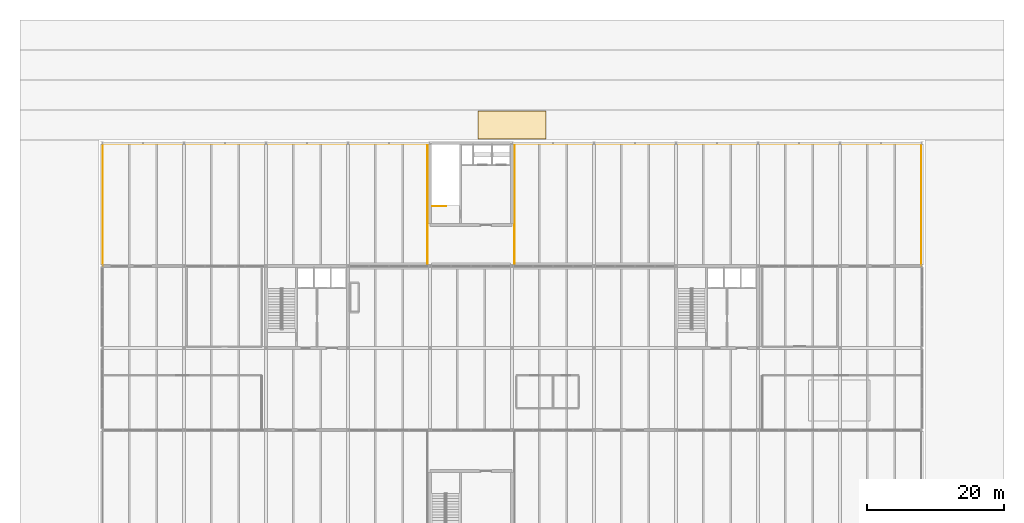
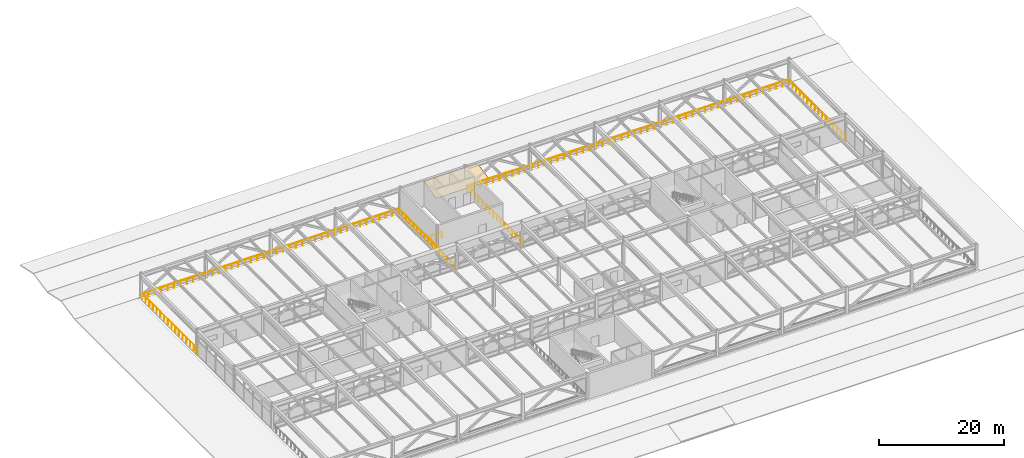
# One storey, part 42 of 42: 3 railings, 1 covering.
"""IFC4 building model written with IfcOpenShell, lengths in metres."""

from ifc_helpers import new_model, si_unit, direction, frame, origin, origin_2d, place, context, subcontext, project, spatial, polyline, circle, outline, extrude, material, layer, layer_set, type_object, element, save


model = new_model("IFC4")

# Units and contexts
model_context = context("Model", 3, precision=1e-05, world=origin(), true_north=direction((0.0, 1.0)))
body_context = subcontext(model_context, "Body", "Model", "MODEL_VIEW")
ifc_project = project(units=[si_unit("LENGTHUNIT", "METRE"), si_unit("AREAUNIT", "SQUARE_METRE"), si_unit("VOLUMEUNIT", "CUBIC_METRE"), si_unit("PLANEANGLEUNIT", "RADIAN"), si_unit("MASSUNIT", "GRAM", prefix="KILO")], contexts=[model_context])

# Site, building, storey
site_placement = place(None, origin())
site = spatial("IfcSite", under=ifc_project, at=site_placement, CompositionType="ELEMENT")
building_placement = place(site_placement, origin())
building = spatial("IfcBuilding", under=site, at=building_placement, Name="Girod Span Mobility Hub", CompositionType="ELEMENT")
storey_placement = place(building_placement, frame((0.0, 0.0, 32.39990234375)))
storey = spatial("IfcBuildingStorey", under=building, at=storey_placement, Name="L08", CompositionType="ELEMENT", Elevation=32.39990234375)

# Covering
ifc_material_1 = material(Name="EPDM Cool-Roof Waterproofing Membrane", Category="polymer")
ifc_layer_1 = layer(ifc_material_1, 0.02490234375)
ifc_layer_set_1 = layer_set([ifc_layer_1], Name="EPDM Cool-Roof Waterproofing Membrane")
covering_type = type_object("IfcCoveringType", Name="COV-RF-EPDM", PredefinedType="ROOFING", material=ifc_layer_set_1)
covering_placement = place(storey_placement, frame((79.0, 87.60009765625, 0.057373046875), z_axis=(0.0, -0.210330134368, 0.977630418193), x_axis=(1.0, 0.0, 0.0)))
element("IfcCovering", 1, at=covering_placement, inside=storey, type_object=covering_type, Name="Setback Roof Membrane L07 N", PredefinedType="ROOFING", context=body_context, shape_type="SweptSolid", body=[
    extrude(outline(polyline([(0.0, 0.0), (10.0, 0.0), (10.0, 4.162448162179931), (0.0, 4.162448162179931), (0.0, 0.0)])), origin(), (0.0, 0.0, -1.0), 0.02490234375),
])

# Railings
ifc_material_2 = material(Name="Anodised Aluminium Alloy 6063-T6", Category="aluminium")
ifc_layer_2 = layer(ifc_material_2, 0.070068359375)
ifc_layer_set_2 = layer_set([ifc_layer_2], Name="Anodised Aluminium Alloy 6063-T6")
railing_type_1 = type_object("IfcRailingType", Name="RL-BAL-1140", PredefinedType="BALUSTRADE", material=ifc_layer_set_2)
railing_1_placement = place(storey_placement, frame((24.1201171875, 69.0400390625, 0.0)))
element("IfcRailing", 2, at=railing_1_placement, inside=storey, type_object=railing_type_1, Name="North West Rooftop Sports Court Perimeter Balustrade", PredefinedType="BALUSTRADE", context=body_context, shape_type="SweptSolid", body=[
    extrude(circle(Radius=0.02392578125, at=origin_2d()), frame((0.0, 0.0, 1.11572265625), z_axis=(0.0, 1.0, 0.0), x_axis=(-1.0, 0.0, 0.0)), (0.0, 0.0, 1.0), 17.83984375),
    extrude(circle(Radius=0.02392578125, at=origin_2d()), frame((0.0, 17.83984375, 1.11572265625), z_axis=(1.0, 0.0, 0.0), x_axis=(0.0, 1.0, 0.0)), (0.0, 0.0, 1.0), 47.509765625),
    extrude(circle(Radius=0.02392578125, at=origin_2d()), frame((47.509765625, 17.83984375, 1.11572265625), z_axis=(0.0, -1.0, 0.0), x_axis=(1.0, 0.0, 0.0)), (0.0, 0.0, 1.0), 17.83984375),
    extrude(circle(Radius=0.02099609375, at=origin_2d()), origin(), (0.0, 0.0, 1.0), 1.091796875),
    extrude(circle(Radius=0.02099609375, at=origin_2d()), frame((0.0, 1.189208984375, 0.0)), (0.0, 0.0, 1.0), 1.091796875),
    extrude(circle(Radius=0.02099609375, at=origin_2d()), frame((0.0, 2.378662109375, 0.0)), (0.0, 0.0, 1.0), 1.091796875),
    extrude(circle(Radius=0.02099609375, at=origin_2d()), frame((0.0, 3.56787109375, 0.0)), (0.0, 0.0, 1.0), 1.091796875),
    extrude(circle(Radius=0.02099609375, at=origin_2d()), frame((0.0, 4.75732421875, 0.0)), (0.0, 0.0, 1.0), 1.091796875),
    extrude(circle(Radius=0.02099609375, at=origin_2d()), frame((0.0, 5.946533203125, 0.0)), (0.0, 0.0, 1.0), 1.091796875),
    extrude(circle(Radius=0.02099609375, at=origin_2d()), frame((0.0, 7.135986328125, 0.0)), (0.0, 0.0, 1.0), 1.091796875),
    extrude(circle(Radius=0.02099609375, at=origin_2d()), frame((0.0, 8.3251953125, 0.0)), (0.0, 0.0, 1.0), 1.091796875),
    extrude(circle(Radius=0.02099609375, at=origin_2d()), frame((0.0, 9.5146484375, 0.0)), (0.0, 0.0, 1.0), 1.091796875),
    extrude(circle(Radius=0.02099609375, at=origin_2d()), frame((0.0, 10.703857421875, 0.0)), (0.0, 0.0, 1.0), 1.091796875),
    extrude(circle(Radius=0.02099609375, at=origin_2d()), frame((0.0, 11.893310546875, 0.0)), (0.0, 0.0, 1.0), 1.091796875),
    extrude(circle(Radius=0.02099609375, at=origin_2d()), frame((0.0, 13.08251953125, 0.0)), (0.0, 0.0, 1.0), 1.091796875),
    extrude(circle(Radius=0.02099609375, at=origin_2d()), frame((0.0, 14.27197265625, 0.0)), (0.0, 0.0, 1.0), 1.091796875),
    extrude(circle(Radius=0.02099609375, at=origin_2d()), frame((0.0, 15.461181640625, 0.0)), (0.0, 0.0, 1.0), 1.091796875),
    extrude(circle(Radius=0.02099609375, at=origin_2d()), frame((0.0, 16.650634765625, 0.0)), (0.0, 0.0, 1.0), 1.091796875),
    extrude(circle(Radius=0.02099609375, at=origin_2d()), frame((0.0, 17.83984375, 0.0)), (0.0, 0.0, 1.0), 1.091796875),
    extrude(circle(Radius=0.02099609375, at=origin_2d()), frame((1.187744140625, 17.83984375, 0.0)), (0.0, 0.0, 1.0), 1.091796875),
    extrude(circle(Radius=0.02099609375, at=origin_2d()), frame((2.37548828125, 17.83984375, 0.0)), (0.0, 0.0, 1.0), 1.091796875),
    extrude(circle(Radius=0.02099609375, at=origin_2d()), frame((3.563232421875, 17.83984375, 0.0)), (0.0, 0.0, 1.0), 1.091796875),
    extrude(circle(Radius=0.02099609375, at=origin_2d()), frame((4.7509765625, 17.83984375, 0.0)), (0.0, 0.0, 1.0), 1.091796875),
    extrude(circle(Radius=0.02099609375, at=origin_2d()), frame((5.938720703125, 17.83984375, 0.0)), (0.0, 0.0, 1.0), 1.091796875),
    extrude(circle(Radius=0.02099609375, at=origin_2d()), frame((7.12646484375, 17.83984375, 0.0)), (0.0, 0.0, 1.0), 1.091796875),
    extrude(circle(Radius=0.02099609375, at=origin_2d()), frame((8.314208984375, 17.83984375, 0.0)), (0.0, 0.0, 1.0), 1.091796875),
    extrude(circle(Radius=0.02099609375, at=origin_2d()), frame((9.501953125, 17.83984375, 0.0)), (0.0, 0.0, 1.0), 1.091796875),
    extrude(circle(Radius=0.02099609375, at=origin_2d()), frame((10.689697265625, 17.83984375, 0.0)), (0.0, 0.0, 1.0), 1.091796875),
    extrude(circle(Radius=0.02099609375, at=origin_2d()), frame((11.87744140625, 17.83984375, 0.0)), (0.0, 0.0, 1.0), 1.091796875),
    extrude(circle(Radius=0.02099609375, at=origin_2d()), frame((13.065185546875, 17.83984375, 0.0)), (0.0, 0.0, 1.0), 1.091796875),
    extrude(circle(Radius=0.02099609375, at=origin_2d()), frame((14.2529296875, 17.83984375, 0.0)), (0.0, 0.0, 1.0), 1.091796875),
    extrude(circle(Radius=0.02099609375, at=origin_2d()), frame((15.440673828125, 17.83984375, 0.0)), (0.0, 0.0, 1.0), 1.091796875),
    extrude(circle(Radius=0.02099609375, at=origin_2d()), frame((16.62841796875, 17.83984375, 0.0)), (0.0, 0.0, 1.0), 1.091796875),
    extrude(circle(Radius=0.02099609375, at=origin_2d()), frame((17.816162109375, 17.83984375, 0.0)), (0.0, 0.0, 1.0), 1.091796875),
    extrude(circle(Radius=0.02099609375, at=origin_2d()), frame((19.00390625, 17.83984375, 0.0)), (0.0, 0.0, 1.0), 1.091796875),
    extrude(circle(Radius=0.02099609375, at=origin_2d()), frame((20.191650390625, 17.83984375, 0.0)), (0.0, 0.0, 1.0), 1.091796875),
    extrude(circle(Radius=0.02099609375, at=origin_2d()), frame((21.37939453125, 17.83984375, 0.0)), (0.0, 0.0, 1.0), 1.091796875),
    extrude(circle(Radius=0.02099609375, at=origin_2d()), frame((22.567138671875, 17.83984375, 0.0)), (0.0, 0.0, 1.0), 1.091796875),
    extrude(circle(Radius=0.02099609375, at=origin_2d()), frame((23.7548828125, 17.83984375, 0.0)), (0.0, 0.0, 1.0), 1.091796875),
    extrude(circle(Radius=0.02099609375, at=origin_2d()), frame((24.942626953125, 17.83984375, 0.0)), (0.0, 0.0, 1.0), 1.091796875),
    extrude(circle(Radius=0.02099609375, at=origin_2d()), frame((26.13037109375, 17.83984375, 0.0)), (0.0, 0.0, 1.0), 1.091796875),
    extrude(circle(Radius=0.02099609375, at=origin_2d()), frame((27.318115234375, 17.83984375, 0.0)), (0.0, 0.0, 1.0), 1.091796875),
    extrude(circle(Radius=0.02099609375, at=origin_2d()), frame((28.505859375, 17.83984375, 0.0)), (0.0, 0.0, 1.0), 1.091796875),
    extrude(circle(Radius=0.02099609375, at=origin_2d()), frame((29.693603515625, 17.83984375, 0.0)), (0.0, 0.0, 1.0), 1.091796875),
    extrude(circle(Radius=0.02099609375, at=origin_2d()), frame((30.88134765625, 17.83984375, 0.0)), (0.0, 0.0, 1.0), 1.091796875),
    extrude(circle(Radius=0.02099609375, at=origin_2d()), frame((32.069091796875, 17.83984375, 0.0)), (0.0, 0.0, 1.0), 1.091796875),
    extrude(circle(Radius=0.02099609375, at=origin_2d()), frame((33.2568359375, 17.83984375, 0.0)), (0.0, 0.0, 1.0), 1.091796875),
    extrude(circle(Radius=0.02099609375, at=origin_2d()), frame((34.444580078125, 17.83984375, 0.0)), (0.0, 0.0, 1.0), 1.091796875),
    extrude(circle(Radius=0.02099609375, at=origin_2d()), frame((35.63232421875, 17.83984375, 0.0)), (0.0, 0.0, 1.0), 1.091796875),
    extrude(circle(Radius=0.02099609375, at=origin_2d()), frame((36.820068359375, 17.83984375, 0.0)), (0.0, 0.0, 1.0), 1.091796875),
    extrude(circle(Radius=0.02099609375, at=origin_2d()), frame((38.0078125, 17.83984375, 0.0)), (0.0, 0.0, 1.0), 1.091796875),
    extrude(circle(Radius=0.02099609375, at=origin_2d()), frame((39.195556640625, 17.83984375, 0.0)), (0.0, 0.0, 1.0), 1.091796875),
    extrude(circle(Radius=0.02099609375, at=origin_2d()), frame((40.38330078125, 17.83984375, 0.0)), (0.0, 0.0, 1.0), 1.091796875),
    extrude(circle(Radius=0.02099609375, at=origin_2d()), frame((41.571044921875, 17.83984375, 0.0)), (0.0, 0.0, 1.0), 1.091796875),
    extrude(circle(Radius=0.02099609375, at=origin_2d()), frame((42.7587890625, 17.83984375, 0.0)), (0.0, 0.0, 1.0), 1.091796875),
    extrude(circle(Radius=0.02099609375, at=origin_2d()), frame((43.946533203125, 17.83984375, 0.0)), (0.0, 0.0, 1.0), 1.091796875),
    extrude(circle(Radius=0.02099609375, at=origin_2d()), frame((45.13427734375, 17.83984375, 0.0)), (0.0, 0.0, 1.0), 1.091796875),
    extrude(circle(Radius=0.02099609375, at=origin_2d()), frame((46.322021484375, 17.83984375, 0.0)), (0.0, 0.0, 1.0), 1.091796875),
    extrude(circle(Radius=0.02099609375, at=origin_2d()), frame((47.509765625, 17.83984375, 0.0)), (0.0, 0.0, 1.0), 1.091796875),
    extrude(circle(Radius=0.02099609375, at=origin_2d()), frame((47.509765625, 16.650634765625, 0.0)), (0.0, 0.0, 1.0), 1.091796875),
    extrude(circle(Radius=0.02099609375, at=origin_2d()), frame((47.509765625, 15.461181640625, 0.0)), (0.0, 0.0, 1.0), 1.091796875),
    extrude(circle(Radius=0.02099609375, at=origin_2d()), frame((47.509765625, 14.27197265625, 0.0)), (0.0, 0.0, 1.0), 1.091796875),
    extrude(circle(Radius=0.02099609375, at=origin_2d()), frame((47.509765625, 13.08251953125, 0.0)), (0.0, 0.0, 1.0), 1.091796875),
    extrude(circle(Radius=0.02099609375, at=origin_2d()), frame((47.509765625, 11.893310546875, 0.0)), (0.0, 0.0, 1.0), 1.091796875),
    extrude(circle(Radius=0.02099609375, at=origin_2d()), frame((47.509765625, 10.703857421875, 0.0)), (0.0, 0.0, 1.0), 1.091796875),
    extrude(circle(Radius=0.02099609375, at=origin_2d()), frame((47.509765625, 9.5146484375, 0.0)), (0.0, 0.0, 1.0), 1.091796875),
    extrude(circle(Radius=0.02099609375, at=origin_2d()), frame((47.509765625, 8.3251953125, 0.0)), (0.0, 0.0, 1.0), 1.091796875),
    extrude(circle(Radius=0.02099609375, at=origin_2d()), frame((47.509765625, 7.135986328125, 0.0)), (0.0, 0.0, 1.0), 1.091796875),
    extrude(circle(Radius=0.02099609375, at=origin_2d()), frame((47.509765625, 5.946533203125, 0.0)), (0.0, 0.0, 1.0), 1.091796875),
    extrude(circle(Radius=0.02099609375, at=origin_2d()), frame((47.509765625, 4.75732421875, 0.0)), (0.0, 0.0, 1.0), 1.091796875),
    extrude(circle(Radius=0.02099609375, at=origin_2d()), frame((47.509765625, 3.56787109375, 0.0)), (0.0, 0.0, 1.0), 1.091796875),
    extrude(circle(Radius=0.02099609375, at=origin_2d()), frame((47.509765625, 2.378662109375, 0.0)), (0.0, 0.0, 1.0), 1.091796875),
    extrude(circle(Radius=0.02099609375, at=origin_2d()), frame((47.509765625, 1.189208984375, 0.0)), (0.0, 0.0, 1.0), 1.091796875),
    extrude(circle(Radius=0.02099609375, at=origin_2d()), frame((47.509765625, 0.0, 0.0)), (0.0, 0.0, 1.0), 1.091796875),
])
railing_2_placement = place(storey_placement, frame((84.3701171875, 69.0400390625, 0.0)))
element("IfcRailing", 3, at=railing_2_placement, inside=storey, type_object=railing_type_1, Name="North East Rooftop Sports Court Perimeter Balustrade", PredefinedType="BALUSTRADE", context=body_context, shape_type="SweptSolid", body=[
    extrude(circle(Radius=0.02392578125, at=origin_2d()), frame((0.0, 0.0, 1.11572265625), z_axis=(0.0, 1.0, 0.0), x_axis=(-1.0, 0.0, 0.0)), (0.0, 0.0, 1.0), 17.83984375),
    extrude(circle(Radius=0.02392578125, at=origin_2d()), frame((0.0, 17.83984375, 1.11572265625), z_axis=(1.0, 0.0, 0.0), x_axis=(0.0, 1.0, 0.0)), (0.0, 0.0, 1.0), 59.509765625),
    extrude(circle(Radius=0.02392578125, at=origin_2d()), frame((59.509765625, 17.83984375, 1.11572265625), z_axis=(0.0, -1.0, 0.0), x_axis=(1.0, 0.0, 0.0)), (0.0, 0.0, 1.0), 17.83984375),
    extrude(circle(Radius=0.02099609375, at=origin_2d()), origin(), (0.0, 0.0, 1.0), 1.091796875),
    extrude(circle(Radius=0.02099609375, at=origin_2d()), frame((0.0, 1.189208984375, 0.0)), (0.0, 0.0, 1.0), 1.091796875),
    extrude(circle(Radius=0.02099609375, at=origin_2d()), frame((0.0, 2.378662109375, 0.0)), (0.0, 0.0, 1.0), 1.091796875),
    extrude(circle(Radius=0.02099609375, at=origin_2d()), frame((0.0, 3.56787109375, 0.0)), (0.0, 0.0, 1.0), 1.091796875),
    extrude(circle(Radius=0.02099609375, at=origin_2d()), frame((0.0, 4.75732421875, 0.0)), (0.0, 0.0, 1.0), 1.091796875),
    extrude(circle(Radius=0.02099609375, at=origin_2d()), frame((0.0, 5.946533203125, 0.0)), (0.0, 0.0, 1.0), 1.091796875),
    extrude(circle(Radius=0.02099609375, at=origin_2d()), frame((0.0, 7.135986328125, 0.0)), (0.0, 0.0, 1.0), 1.091796875),
    extrude(circle(Radius=0.02099609375, at=origin_2d()), frame((0.0, 8.3251953125, 0.0)), (0.0, 0.0, 1.0), 1.091796875),
    extrude(circle(Radius=0.02099609375, at=origin_2d()), frame((0.0, 9.5146484375, 0.0)), (0.0, 0.0, 1.0), 1.091796875),
    extrude(circle(Radius=0.02099609375, at=origin_2d()), frame((0.0, 10.703857421875, 0.0)), (0.0, 0.0, 1.0), 1.091796875),
    extrude(circle(Radius=0.02099609375, at=origin_2d()), frame((0.0, 11.893310546875, 0.0)), (0.0, 0.0, 1.0), 1.091796875),
    extrude(circle(Radius=0.02099609375, at=origin_2d()), frame((0.0, 13.08251953125, 0.0)), (0.0, 0.0, 1.0), 1.091796875),
    extrude(circle(Radius=0.02099609375, at=origin_2d()), frame((0.0, 14.27197265625, 0.0)), (0.0, 0.0, 1.0), 1.091796875),
    extrude(circle(Radius=0.02099609375, at=origin_2d()), frame((0.0, 15.461181640625, 0.0)), (0.0, 0.0, 1.0), 1.091796875),
    extrude(circle(Radius=0.02099609375, at=origin_2d()), frame((0.0, 16.650634765625, 0.0)), (0.0, 0.0, 1.0), 1.091796875),
    extrude(circle(Radius=0.02099609375, at=origin_2d()), frame((0.0, 17.83984375, 0.0)), (0.0, 0.0, 1.0), 1.091796875),
    extrude(circle(Radius=0.02099609375, at=origin_2d()), frame((1.190185546875, 17.83984375, 0.0)), (0.0, 0.0, 1.0), 1.091796875),
    extrude(circle(Radius=0.02099609375, at=origin_2d()), frame((2.38037109375, 17.83984375, 0.0)), (0.0, 0.0, 1.0), 1.091796875),
    extrude(circle(Radius=0.02099609375, at=origin_2d()), frame((3.570556640625, 17.83984375, 0.0)), (0.0, 0.0, 1.0), 1.091796875),
    extrude(circle(Radius=0.02099609375, at=origin_2d()), frame((4.7607421875, 17.83984375, 0.0)), (0.0, 0.0, 1.0), 1.091796875),
    extrude(circle(Radius=0.02099609375, at=origin_2d()), frame((5.950927734375, 17.83984375, 0.0)), (0.0, 0.0, 1.0), 1.091796875),
    extrude(circle(Radius=0.02099609375, at=origin_2d()), frame((7.14111328125, 17.83984375, 0.0)), (0.0, 0.0, 1.0), 1.091796875),
    extrude(circle(Radius=0.02099609375, at=origin_2d()), frame((8.331298828125, 17.83984375, 0.0)), (0.0, 0.0, 1.0), 1.091796875),
    extrude(circle(Radius=0.02099609375, at=origin_2d()), frame((9.521484375, 17.83984375, 0.0)), (0.0, 0.0, 1.0), 1.091796875),
    extrude(circle(Radius=0.02099609375, at=origin_2d()), frame((10.711669921875, 17.83984375, 0.0)), (0.0, 0.0, 1.0), 1.091796875),
    extrude(circle(Radius=0.02099609375, at=origin_2d()), frame((11.90185546875, 17.83984375, 0.0)), (0.0, 0.0, 1.0), 1.091796875),
    extrude(circle(Radius=0.02099609375, at=origin_2d()), frame((13.092041015625, 17.83984375, 0.0)), (0.0, 0.0, 1.0), 1.091796875),
    extrude(circle(Radius=0.02099609375, at=origin_2d()), frame((14.2822265625, 17.83984375, 0.0)), (0.0, 0.0, 1.0), 1.091796875),
    extrude(circle(Radius=0.02099609375, at=origin_2d()), frame((15.47265625, 17.83984375, 0.0)), (0.0, 0.0, 1.0), 1.091796875),
    extrude(circle(Radius=0.02099609375, at=origin_2d()), frame((16.662841796875, 17.83984375, 0.0)), (0.0, 0.0, 1.0), 1.091796875),
    extrude(circle(Radius=0.02099609375, at=origin_2d()), frame((17.85302734375, 17.83984375, 0.0)), (0.0, 0.0, 1.0), 1.091796875),
    extrude(circle(Radius=0.02099609375, at=origin_2d()), frame((19.043212890625, 17.83984375, 0.0)), (0.0, 0.0, 1.0), 1.091796875),
    extrude(circle(Radius=0.02099609375, at=origin_2d()), frame((20.2333984375, 17.83984375, 0.0)), (0.0, 0.0, 1.0), 1.091796875),
    extrude(circle(Radius=0.02099609375, at=origin_2d()), frame((21.423583984375, 17.83984375, 0.0)), (0.0, 0.0, 1.0), 1.091796875),
    extrude(circle(Radius=0.02099609375, at=origin_2d()), frame((22.61376953125, 17.83984375, 0.0)), (0.0, 0.0, 1.0), 1.091796875),
    extrude(circle(Radius=0.02099609375, at=origin_2d()), frame((23.803955078125, 17.83984375, 0.0)), (0.0, 0.0, 1.0), 1.091796875),
    extrude(circle(Radius=0.02099609375, at=origin_2d()), frame((24.994140625, 17.83984375, 0.0)), (0.0, 0.0, 1.0), 1.091796875),
    extrude(circle(Radius=0.02099609375, at=origin_2d()), frame((26.184326171875, 17.83984375, 0.0)), (0.0, 0.0, 1.0), 1.091796875),
    extrude(circle(Radius=0.02099609375, at=origin_2d()), frame((27.37451171875, 17.83984375, 0.0)), (0.0, 0.0, 1.0), 1.091796875),
    extrude(circle(Radius=0.02099609375, at=origin_2d()), frame((28.564697265625, 17.83984375, 0.0)), (0.0, 0.0, 1.0), 1.091796875),
    extrude(circle(Radius=0.02099609375, at=origin_2d()), frame((29.7548828125, 17.83984375, 0.0)), (0.0, 0.0, 1.0), 1.091796875),
    extrude(circle(Radius=0.02099609375, at=origin_2d()), frame((30.945068359375, 17.83984375, 0.0)), (0.0, 0.0, 1.0), 1.091796875),
    extrude(circle(Radius=0.02099609375, at=origin_2d()), frame((32.13525390625, 17.83984375, 0.0)), (0.0, 0.0, 1.0), 1.091796875),
    extrude(circle(Radius=0.02099609375, at=origin_2d()), frame((33.325439453125, 17.83984375, 0.0)), (0.0, 0.0, 1.0), 1.091796875),
    extrude(circle(Radius=0.02099609375, at=origin_2d()), frame((34.515625, 17.83984375, 0.0)), (0.0, 0.0, 1.0), 1.091796875),
    extrude(circle(Radius=0.02099609375, at=origin_2d()), frame((35.705810546875, 17.83984375, 0.0)), (0.0, 0.0, 1.0), 1.091796875),
    extrude(circle(Radius=0.02099609375, at=origin_2d()), frame((36.89599609375, 17.83984375, 0.0)), (0.0, 0.0, 1.0), 1.091796875),
    extrude(circle(Radius=0.02099609375, at=origin_2d()), frame((38.086181640625, 17.83984375, 0.0)), (0.0, 0.0, 1.0), 1.091796875),
    extrude(circle(Radius=0.02099609375, at=origin_2d()), frame((39.2763671875, 17.83984375, 0.0)), (0.0, 0.0, 1.0), 1.091796875),
    extrude(circle(Radius=0.02099609375, at=origin_2d()), frame((40.466552734375, 17.83984375, 0.0)), (0.0, 0.0, 1.0), 1.091796875),
    extrude(circle(Radius=0.02099609375, at=origin_2d()), frame((41.65673828125, 17.83984375, 0.0)), (0.0, 0.0, 1.0), 1.091796875),
    extrude(circle(Radius=0.02099609375, at=origin_2d()), frame((42.846923828125, 17.83984375, 0.0)), (0.0, 0.0, 1.0), 1.091796875),
    extrude(circle(Radius=0.02099609375, at=origin_2d()), frame((44.037109375, 17.83984375, 0.0)), (0.0, 0.0, 1.0), 1.091796875),
    extrude(circle(Radius=0.02099609375, at=origin_2d()), frame((45.2275390625, 17.83984375, 0.0)), (0.0, 0.0, 1.0), 1.091796875),
    extrude(circle(Radius=0.02099609375, at=origin_2d()), frame((46.417724609375, 17.83984375, 0.0)), (0.0, 0.0, 1.0), 1.091796875),
    extrude(circle(Radius=0.02099609375, at=origin_2d()), frame((47.60791015625, 17.83984375, 0.0)), (0.0, 0.0, 1.0), 1.091796875),
    extrude(circle(Radius=0.02099609375, at=origin_2d()), frame((48.798095703125, 17.83984375, 0.0)), (0.0, 0.0, 1.0), 1.091796875),
    extrude(circle(Radius=0.02099609375, at=origin_2d()), frame((49.98828125, 17.83984375, 0.0)), (0.0, 0.0, 1.0), 1.091796875),
    extrude(circle(Radius=0.02099609375, at=origin_2d()), frame((51.178466796875, 17.83984375, 0.0)), (0.0, 0.0, 1.0), 1.091796875),
    extrude(circle(Radius=0.02099609375, at=origin_2d()), frame((52.36865234375, 17.83984375, 0.0)), (0.0, 0.0, 1.0), 1.091796875),
    extrude(circle(Radius=0.02099609375, at=origin_2d()), frame((53.558837890625, 17.83984375, 0.0)), (0.0, 0.0, 1.0), 1.091796875),
    extrude(circle(Radius=0.02099609375, at=origin_2d()), frame((54.7490234375, 17.83984375, 0.0)), (0.0, 0.0, 1.0), 1.091796875),
    extrude(circle(Radius=0.02099609375, at=origin_2d()), frame((55.939208984375, 17.83984375, 0.0)), (0.0, 0.0, 1.0), 1.091796875),
    extrude(circle(Radius=0.02099609375, at=origin_2d()), frame((57.12939453125, 17.83984375, 0.0)), (0.0, 0.0, 1.0), 1.091796875),
    extrude(circle(Radius=0.02099609375, at=origin_2d()), frame((58.319580078125, 17.83984375, 0.0)), (0.0, 0.0, 1.0), 1.091796875),
    extrude(circle(Radius=0.02099609375, at=origin_2d()), frame((59.509765625, 17.83984375, 0.0)), (0.0, 0.0, 1.0), 1.091796875),
    extrude(circle(Radius=0.02099609375, at=origin_2d()), frame((59.509765625, 16.650634765625, 0.0)), (0.0, 0.0, 1.0), 1.091796875),
    extrude(circle(Radius=0.02099609375, at=origin_2d()), frame((59.509765625, 15.461181640625, 0.0)), (0.0, 0.0, 1.0), 1.091796875),
    extrude(circle(Radius=0.02099609375, at=origin_2d()), frame((59.509765625, 14.27197265625, 0.0)), (0.0, 0.0, 1.0), 1.091796875),
    extrude(circle(Radius=0.02099609375, at=origin_2d()), frame((59.509765625, 13.08251953125, 0.0)), (0.0, 0.0, 1.0), 1.091796875),
    extrude(circle(Radius=0.02099609375, at=origin_2d()), frame((59.509765625, 11.893310546875, 0.0)), (0.0, 0.0, 1.0), 1.091796875),
    extrude(circle(Radius=0.02099609375, at=origin_2d()), frame((59.509765625, 10.703857421875, 0.0)), (0.0, 0.0, 1.0), 1.091796875),
    extrude(circle(Radius=0.02099609375, at=origin_2d()), frame((59.509765625, 9.5146484375, 0.0)), (0.0, 0.0, 1.0), 1.091796875),
    extrude(circle(Radius=0.02099609375, at=origin_2d()), frame((59.509765625, 8.3251953125, 0.0)), (0.0, 0.0, 1.0), 1.091796875),
    extrude(circle(Radius=0.02099609375, at=origin_2d()), frame((59.509765625, 7.135986328125, 0.0)), (0.0, 0.0, 1.0), 1.091796875),
    extrude(circle(Radius=0.02099609375, at=origin_2d()), frame((59.509765625, 5.946533203125, 0.0)), (0.0, 0.0, 1.0), 1.091796875),
    extrude(circle(Radius=0.02099609375, at=origin_2d()), frame((59.509765625, 4.75732421875, 0.0)), (0.0, 0.0, 1.0), 1.091796875),
    extrude(circle(Radius=0.02099609375, at=origin_2d()), frame((59.509765625, 3.56787109375, 0.0)), (0.0, 0.0, 1.0), 1.091796875),
    extrude(circle(Radius=0.02099609375, at=origin_2d()), frame((59.509765625, 2.378662109375, 0.0)), (0.0, 0.0, 1.0), 1.091796875),
    extrude(circle(Radius=0.02099609375, at=origin_2d()), frame((59.509765625, 1.189208984375, 0.0)), (0.0, 0.0, 1.0), 1.091796875),
    extrude(circle(Radius=0.02099609375, at=origin_2d()), frame((59.509765625, 0.0, 0.0)), (0.0, 0.0, 1.0), 1.091796875),
])
ifc_material_3 = material(Name="Painted Galvanised Steel", Category="steel")
ifc_layer_3 = layer(ifc_material_3, 0.06494140625)
ifc_layer_set_3 = layer_set([ifc_layer_3], Name="Painted Galvanised Steel")
railing_type_2 = type_object("IfcRailingType", Name="RL-GRD-1120", PredefinedType="GUARDRAIL", material=ifc_layer_set_3)
railing_3_placement = place(storey_placement, frame((72.320068359375, 77.739990234375, 0.0)))
element("IfcRailing", 4, at=railing_3_placement, inside=storey, type_object=railing_type_2, Name="Stair ST-4 Top Landing Guardrail L08", PredefinedType="GUARDRAIL", context=body_context, shape_type="SweptSolid", body=[
    extrude(circle(Radius=0.02392578125, at=origin_2d()), frame((0.0, 0.0, 1.09619140625), z_axis=(1.0, 0.0, 0.0), x_axis=(0.0, 1.0, 0.0)), (0.0, 0.0, 1.0), 2.059814453125),
    extrude(circle(Radius=0.02099609375, at=origin_2d()), origin(), (0.0, 0.0, 1.0), 1.072021484375),
    extrude(circle(Radius=0.02099609375, at=origin_2d()), frame((1.02978515625, 0.0, 0.0)), (0.0, 0.0, 1.0), 1.072021484375),
    extrude(circle(Radius=0.02099609375, at=origin_2d()), frame((2.059814453125, 0.0, 0.0)), (0.0, 0.0, 1.0), 1.072021484375),
])

save(model, "model.ifc")
